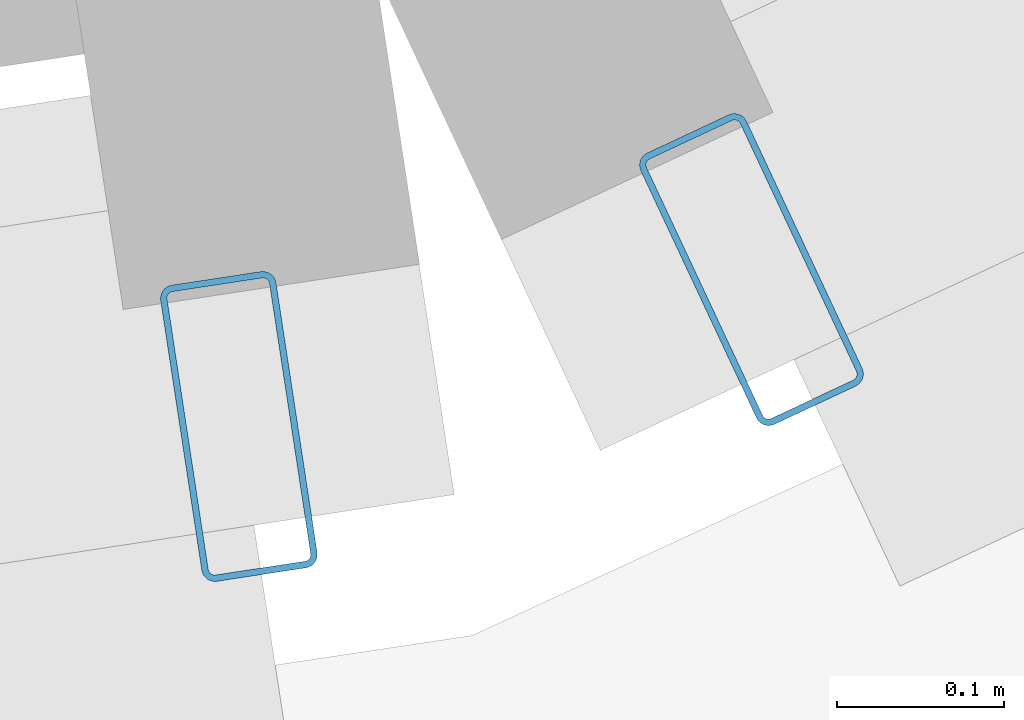
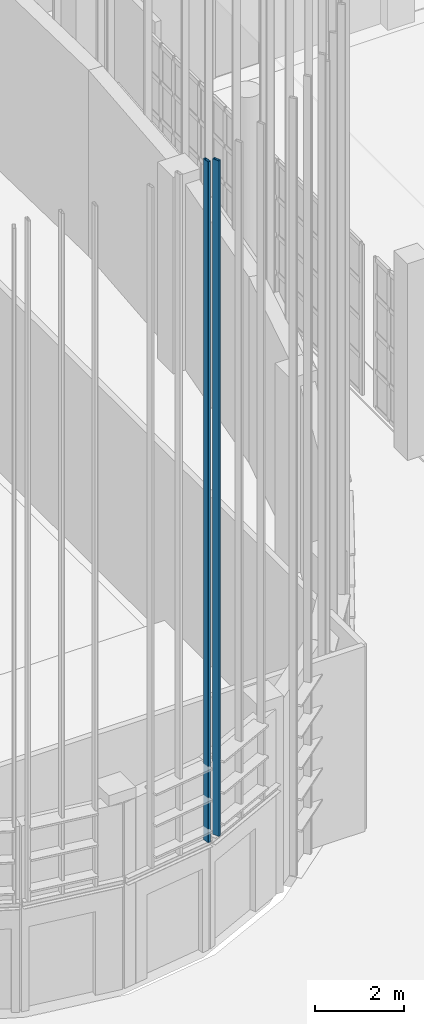
# One storey, part 146 of 372: 2 members.
"""IFC4 building model written with IfcOpenShell, lengths in metres."""

from ifc_helpers import new_model, si_unit, direction, frame, origin, origin_2d, place, context, subcontext, project, spatial, hollow_rectangle, extrude, material, material_profile, profile_set, type_object, element, save


model = new_model("IFC4")

# Units and contexts
model_context = context("Model", 3, precision=1e-05, world=origin(), true_north=direction((0.0, 1.0)))
body_context = subcontext(model_context, "Body", "Model", "MODEL_VIEW")
ifc_project = project(units=[si_unit("LENGTHUNIT", "METRE"), si_unit("AREAUNIT", "SQUARE_METRE"), si_unit("VOLUMEUNIT", "CUBIC_METRE"), si_unit("PLANEANGLEUNIT", "RADIAN"), si_unit("MASSUNIT", "GRAM", prefix="KILO")], contexts=[model_context])

# Site, building, storey
site_placement = place(None, origin())
site = spatial("IfcSite", under=ifc_project, at=site_placement, CompositionType="ELEMENT")
building_placement = place(site_placement, origin())
building = spatial("IfcBuilding", under=site, at=building_placement, Name="Kaelora Sail Theatre", CompositionType="ELEMENT")
storey_placement = place(building_placement, origin())
storey = spatial("IfcBuildingStorey", under=building, at=storey_placement, Name="L00", CompositionType="ELEMENT", Elevation=0.0)

# Members
ifc_material = material(Name="Anodised aluminium 6063-T6", Category="aluminium")
ifc_material_profile = material_profile(ifc_material, hollow_rectangle(XDim=0.070068359375, YDim=0.179931640625, WallThickness=0.00390625, InnerFilletRadius=0.00390625, OuterFilletRadius=0.008056640625, at=origin_2d()), Name="ALU-MULL 70x180x4")
ifc_profile_set = profile_set([ifc_material_profile], Name="Anodised aluminium 6063-T6")
member_type = type_object("IfcMemberType", Name="ARC-MEM-PST-160", PredefinedType="POST", material=ifc_profile_set)
member_1_placement = place(storey_placement, frame((93.232666015625, 31.4453125, 3.10009765625), z_axis=(0.0, 0.0, 1.0), x_axis=(-0.905642821984, -0.424041364714, 0.0)))
element("IfcMember", 1, at=member_1_placement, inside=storey, type_object=member_type, Name="Studio Theatre Sail Drum solar louvre vertical support post C9-3", PredefinedType="POST", context=body_context, shape_type="SweptSolid", body=[
    extrude(hollow_rectangle(XDim=0.070068359375, YDim=0.179931640625, WallThickness=0.00390625, InnerFilletRadius=0.00390625, OuterFilletRadius=0.008056640625, at=origin_2d()), origin(), (0.0, 0.0, 1.0), 18.5537109375),
])
member_2_placement = place(storey_placement, frame((92.9248046875, 31.35107421875, 3.10009765625), z_axis=(0.0, 0.0, 1.0), x_axis=(-0.988599245884, -0.150570684524, 0.0)))
element("IfcMember", 2, at=member_2_placement, inside=storey, type_object=member_type, Name="Studio Theatre Sail Drum solar louvre vertical support post C10-1", PredefinedType="POST", context=body_context, shape_type="SweptSolid", body=[
    extrude(hollow_rectangle(XDim=0.070068359375, YDim=0.179931640625, WallThickness=0.00390625, InnerFilletRadius=0.00390625, OuterFilletRadius=0.008056640625, at=origin_2d()), origin(), (0.0, 0.0, 1.0), 18.702392578125),
])

save(model, "model.ifc")
